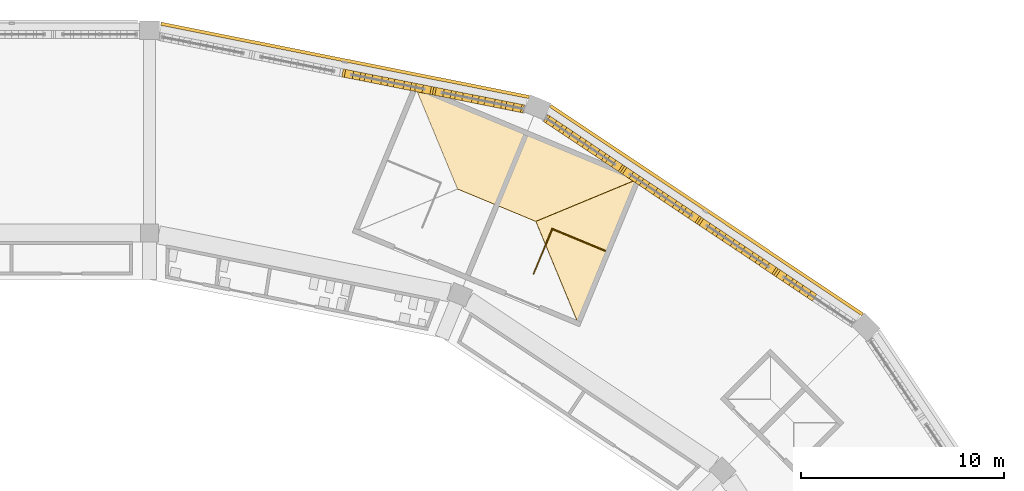
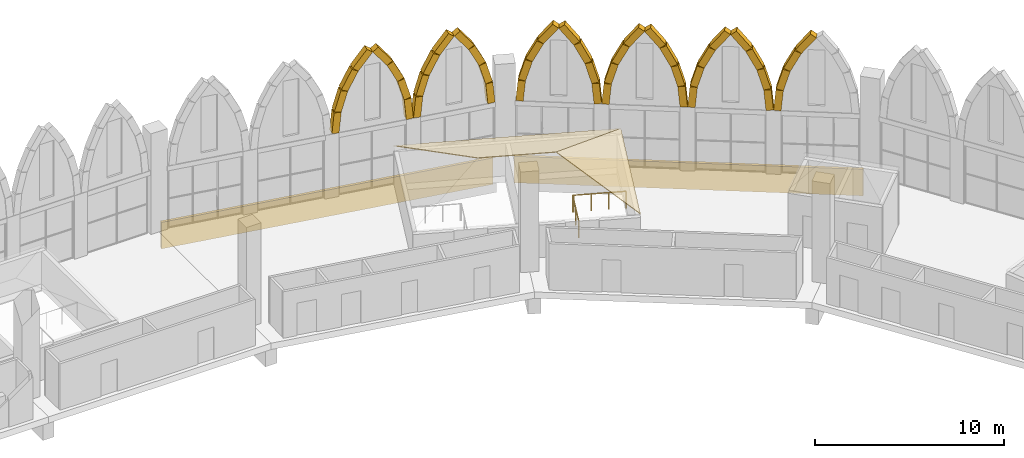
# One storey, part 121 of 130: 48 coverings, 2 railings.
"""IFC4 building model written with IfcOpenShell, lengths in metres."""

from ifc_helpers import new_model, si_unit, direction, frame, origin, origin_2d, place, context, subcontext, project, spatial, polyline, rectangle, circle, outline, extrude, material, layer, layer_set, material_profile, profile_set, type_object, element, save


model = new_model("IFC4")

# Units and contexts
model_context = context("Model", 3, precision=1e-05, world=origin(), true_north=direction((0.0, 1.0)))
body_context = subcontext(model_context, "Body", "Model", "MODEL_VIEW")
ifc_project = project(units=[si_unit("LENGTHUNIT", "METRE"), si_unit("AREAUNIT", "SQUARE_METRE"), si_unit("VOLUMEUNIT", "CUBIC_METRE"), si_unit("PLANEANGLEUNIT", "RADIAN"), si_unit("MASSUNIT", "GRAM", prefix="KILO")], contexts=[model_context])

# Site, building, storey
site_placement = place(None, origin())
site = spatial("IfcSite", under=ifc_project, at=site_placement, CompositionType="ELEMENT")
building_placement = place(site_placement, origin())
building = spatial("IfcBuilding", under=site, at=building_placement, Name="Ogive Plaza Stadium", CompositionType="ELEMENT")
storey_placement = place(building_placement, frame((0.0, 0.0, 22.5)))
storey = spatial("IfcBuildingStorey", under=building, at=storey_placement, Name="L05", CompositionType="ELEMENT", Elevation=22.5)

# Railings
ifc_material_1 = material(Name="Steel ASTM A572 Grade 50", Category="steel")
railing_type = type_object("IfcRailingType", Name="Guard 1100", PredefinedType="GUARDRAIL", material=ifc_material_1)
railing_1_placement = place(storey_placement, frame((52.955078125, 90.48779296875, 0.0)))
element("IfcRailing", 1, at=railing_1_placement, inside=storey, type_object=railing_type, Name="Stair well guard ST38A L05", PredefinedType="GUARDRAIL", context=body_context, shape_type="SweptSolid", body=[
    extrude(circle(Radius=0.02392578125, at=origin_2d()), frame((0.0, 0.0, 1.076171875), z_axis=(0.382693194178, 0.923875488976, 0.0), x_axis=(-0.923875488976, 0.382693194178, 0.0)), (0.0, 0.0, 1.0), 2.39990234375),
    extrude(circle(Radius=0.02099609375, at=origin_2d()), origin(), (0.0, 0.0, 1.0), 1.052001953125),
    extrude(circle(Radius=0.02099609375, at=origin_2d()), frame((0.459228515625, 1.108642578125, 0.0)), (0.0, 0.0, 1.0), 1.052001953125),
    extrude(circle(Radius=0.02099609375, at=origin_2d()), frame((0.91845703125, 2.21728515625, 0.0)), (0.0, 0.0, 1.0), 1.052001953125),
])
railing_2_placement = place(storey_placement, frame((56.506591796875, 91.614501953125, 0.0)))
element("IfcRailing", 2, at=railing_2_placement, inside=storey, type_object=railing_type, Name="Stair guard ST38A L05", PredefinedType="GUARDRAIL", context=body_context, shape_type="SweptSolid", body=[
    extrude(circle(Radius=0.02392578125, at=origin_2d()), frame((0.0, 0.0, 1.076171875), z_axis=(-0.92386697504, 0.382713747376, 0.0), x_axis=(-0.382713747376, -0.92386697504, 0.0)), (0.0, 0.0, 1.0), 2.7998046875),
    extrude(circle(Radius=0.02099609375, at=origin_2d()), origin(), (0.0, 0.0, 1.0), 1.052001953125),
    extrude(circle(Radius=0.02099609375, at=origin_2d()), frame((-0.8623046875, 0.357177734375, 0.0)), (0.0, 0.0, 1.0), 1.052001953125),
    extrude(circle(Radius=0.02099609375, at=origin_2d()), frame((-1.724365234375, 0.71435546875, 0.0)), (0.0, 0.0, 1.0), 1.052001953125),
    extrude(circle(Radius=0.02099609375, at=origin_2d()), frame((-2.586669921875, 1.071533203125, 0.0)), (0.0, 0.0, 1.0), 1.052001953125),
])

# Coverings
ifc_material_2 = material(Name="Cast stone (reconstituted limestone)", Category="masonry")
ifc_material_profile = material_profile(ifc_material_2, rectangle(XDim=0.39990234375, YDim=0.39990234375, at=origin_2d()), Name="Cast stone 400x400")
ifc_profile_set = profile_set([ifc_material_profile], Name="Cast stone (reconstituted limestone)")
covering_type_1 = type_object("IfcCoveringType", Name="Precast arch rib 400x400", PredefinedType="MOLDING", material=ifc_profile_set)
covering_1_placement = place(storey_placement, frame((43.72509765625, 100.361572265625, 4.11865234375), z_axis=(0.091389906065, -0.018166756175, 0.995649463436), x_axis=(0.194968228644, 0.980809558385, 0.0)))
element("IfcCovering", 3, at=covering_1_placement, inside=storey, type_object=covering_type_1, Name="ARCH RIB B37 3.1", PredefinedType="MOLDING", context=body_context, shape_type="SweptSolid", body=[
    extrude(rectangle(XDim=0.39990234375, YDim=0.39990234375, at=origin_2d()), origin(), (0.0, 0.0, 1.0), 1.31689453125),
])
for number, where, z_axis, x_axis, name in (
    (4, (43.85205078125, 100.33642578125, 5.466552734375), (0.270990146, -0.053938531112, 0.961069703837), (0.195213004767, 0.98076086931, 0.0), "ARCH RIB B37 3.2"),
    (5, (44.22216796875, 100.2626953125, 6.76708984375), (0.44096305246, -0.087673612364, 0.893232849855), (0.195006038548, 0.980802041663, 0.0), "ARCH RIB B37 3.3"),
    (6, (44.822265625, 100.143310546875, 7.97509765625), (0.595717472648, -0.118439161488, 0.794413530731), (0.195000979273, 0.98080304755, 0.0), "ARCH RIB B37 3.4"),
    (7, (45.918701171875, 99.92529296875, 9.021484375), (0.595717472648, -0.118439161488, -0.794413530731), (0.195000979273, 0.98080304755, 0.0), "ARCH RIB B37 3.5"),
    (8, (46.72265625, 99.765380859375, 7.943603515625), (0.44096305246, -0.087673612364, -0.893232849855), (0.195006038548, 0.980802041663, 0.0), "ARCH RIB B37 3.6"),
    (9, (47.31689453125, 99.647216796875, 6.732421875), (0.270818389008, -0.0539412397, -0.961117965098), (0.195341523902, 0.980735279798, 0.0), "ARCH RIB B37 3.7"),
):
    element("IfcCovering", number, at=place(storey_placement, frame(where, z_axis=z_axis, x_axis=x_axis)), inside=storey, type_object=covering_type_1, Name=name, PredefinedType="MOLDING", context=body_context, shape_type="SweptSolid", body=[
        extrude(rectangle(XDim=0.39990234375, YDim=0.39990234375, at=origin_2d()), origin(), (0.0, 0.0, 1.0), 1.317138671875),
    ])
for number, where, z_axis, x_axis, name in (
    (10, (47.68017578125, 99.574951171875, 5.429931640625), (0.091389906065, -0.018166756175, -0.995649463436), (0.194968228644, 0.980809558385, 0.0), "ARCH RIB B37 3.8"),
    (11, (48.194580078125, 99.47265625, 4.11865234375), (0.091389906065, -0.018166756175, 0.995649463436), (0.194968228644, 0.980809558385, 0.0), "ARCH RIB B37 4.1"),
):
    element("IfcCovering", number, at=place(storey_placement, frame(where, z_axis=z_axis, x_axis=x_axis)), inside=storey, type_object=covering_type_1, Name=name, PredefinedType="MOLDING", context=body_context, shape_type="SweptSolid", body=[
        extrude(rectangle(XDim=0.39990234375, YDim=0.39990234375, at=origin_2d()), origin(), (0.0, 0.0, 1.0), 1.31689453125),
    ])
for number, where, z_axis, x_axis, name in (
    (12, (48.32177734375, 99.447265625, 5.466552734375), (0.270821092261, -0.053756411195, 0.961127558778), (0.194695735094, 0.980863686113, 0.0), "ARCH RIB B37 4.2"),
    (13, (48.691650390625, 99.373779296875, 6.76708984375), (0.44096305246, -0.087673612364, 0.893232849855), (0.195006038548, 0.980802041663, 0.0), "ARCH RIB B37 4.3"),
    (14, (49.291748046875, 99.25439453125, 7.97509765625), (0.595704385184, -0.118621906197, 0.794396078064), (0.195294514862, 0.980744641823, 0.0), "ARCH RIB B37 4.4"),
    (15, (50.38818359375, 99.036376953125, 9.021484375), (0.595704385184, -0.118621906197, -0.794396078064), (0.195294514862, 0.980744641823, 0.0), "ARCH RIB B37 4.5"),
    (16, (51.192138671875, 98.876220703125, 7.943603515625), (0.44096305246, -0.087673612364, -0.893232849855), (0.195006038548, 0.980802041663, 0.0), "ARCH RIB B37 4.6"),
    (17, (51.786376953125, 98.758056640625, 6.732421875), (0.270821092261, -0.053756411195, -0.961127558778), (0.194695735094, 0.980863686113, 0.0), "ARCH RIB B37 4.7"),
):
    element("IfcCovering", number, at=place(storey_placement, frame(where, z_axis=z_axis, x_axis=x_axis)), inside=storey, type_object=covering_type_1, Name=name, PredefinedType="MOLDING", context=body_context, shape_type="SweptSolid", body=[
        extrude(rectangle(XDim=0.39990234375, YDim=0.39990234375, at=origin_2d()), origin(), (0.0, 0.0, 1.0), 1.317138671875),
    ])
for number, where, z_axis, x_axis, name in (
    (18, (52.14990234375, 98.685791015625, 5.429931640625), (0.091206074607, -0.018167063641, -0.995666314462), (0.195349397809, 0.980733711451, 0.0), "ARCH RIB B37 4.8"),
    (19, (53.722412109375, 98.060302734375, 4.11865234375), (0.0774868935, -0.051719720781, 0.995650968873), (0.555159300588, 0.831744041741, 0.0), "ARCH RIB B38 1.1"),
):
    element("IfcCovering", number, at=place(storey_placement, frame(where, z_axis=z_axis, x_axis=x_axis)), inside=storey, type_object=covering_type_1, Name=name, PredefinedType="MOLDING", context=body_context, shape_type="SweptSolid", body=[
        extrude(rectangle(XDim=0.39990234375, YDim=0.39990234375, at=origin_2d()), origin(), (0.0, 0.0, 1.0), 1.31689453125),
    ])
for number, where, z_axis, x_axis, name in (
    (20, (53.830322265625, 97.98828125, 5.466552734375), (0.229492340681, -0.15330384955, 0.961161378376), (0.555474964851, 0.831533260563, 0.0), "ARCH RIB B38 1.2"),
    (21, (54.14404296875, 97.77880859375, 6.76708984375), (0.37369155562, -0.249869155246, 0.893263693718), (0.55584155334, 0.831288257815, 0.0), "ARCH RIB B38 1.3"),
    (22, (54.65283203125, 97.438720703125, 7.97509765625), (0.504943643404, -0.337370569381, 0.794489154049), (0.555545202762, 0.831486336441, 0.0), "ARCH RIB B38 1.4"),
):
    element("IfcCovering", number, at=place(storey_placement, frame(where, z_axis=z_axis, x_axis=x_axis)), inside=storey, type_object=covering_type_1, Name=name, PredefinedType="MOLDING", context=body_context, shape_type="SweptSolid", body=[
        extrude(rectangle(XDim=0.39990234375, YDim=0.39990234375, at=origin_2d()), origin(), (0.0, 0.0, 1.0), 1.317138671875),
    ])
covering_2_placement = place(storey_placement, frame((55.58203125, 96.81787109375, 9.021484375), z_axis=(0.505050142893, -0.337503233104, -0.794365105482), x_axis=(0.555615206869, 0.831439559977, 0.0)))
element("IfcCovering", 23, at=covering_2_placement, inside=storey, type_object=covering_type_1, Name="ARCH RIB B38 1.5", PredefinedType="MOLDING", context=body_context, shape_type="SweptSolid", body=[
    extrude(rectangle(XDim=0.39990234375, YDim=0.39990234375, at=origin_2d()), origin(), (0.0, 0.0, 1.0), 1.3173828125),
])
for number, where, z_axis, x_axis, name in (
    (24, (56.263671875, 96.3623046875, 7.943603515625), (0.373868324694, -0.249678053229, -0.893243161478), (0.555366039124, 0.83160601404, 0.0), "ARCH RIB B38 1.6"),
    (25, (56.767333984375, 96.02587890625, 6.732421875), (0.229661409993, -0.15347832726, -0.961093148358), (0.555628995846, 0.831430345233, 0.0), "ARCH RIB B38 1.7"),
):
    element("IfcCovering", number, at=place(storey_placement, frame(where, z_axis=z_axis, x_axis=x_axis)), inside=storey, type_object=covering_type_1, Name=name, PredefinedType="MOLDING", context=body_context, shape_type="SweptSolid", body=[
        extrude(rectangle(XDim=0.39990234375, YDim=0.39990234375, at=origin_2d()), origin(), (0.0, 0.0, 1.0), 1.317138671875),
    ])
for number, where, z_axis, x_axis, name in (
    (26, (57.07568359375, 95.81982421875, 5.429931640625), (0.077302627224, -0.051720462819, -0.995665253763), (0.556079282794, 0.831129250627, 0.0), "ARCH RIB B38 1.8"),
    (27, (57.511474609375, 95.528564453125, 4.11865234375), (0.0774868935, -0.051719720781, 0.995650968873), (0.555159300588, 0.831744041741, 0.0), "ARCH RIB B38 2.1"),
):
    element("IfcCovering", number, at=place(storey_placement, frame(where, z_axis=z_axis, x_axis=x_axis)), inside=storey, type_object=covering_type_1, Name=name, PredefinedType="MOLDING", context=body_context, shape_type="SweptSolid", body=[
        extrude(rectangle(XDim=0.39990234375, YDim=0.39990234375, at=origin_2d()), origin(), (0.0, 0.0, 1.0), 1.31689453125),
    ])
for number, where, z_axis, x_axis, name in (
    (28, (57.619384765625, 95.45654296875, 5.466552734375), (0.229485815196, -0.153484858629, 0.961134048297), (0.555939132817, 0.831223002932, 0.0), "ARCH RIB B38 2.2"),
    (29, (57.93310546875, 95.2470703125, 6.76708984375), (0.37369155562, -0.249869155246, 0.893263693718), (0.55584155334, 0.831288257815, 0.0), "ARCH RIB B38 2.3"),
    (30, (58.44189453125, 94.906982421875, 7.97509765625), (0.504912059598, -0.337534823983, 0.794439459412), (0.555756185913, 0.83134533247, 0.0), "ARCH RIB B38 2.4"),
    (31, (59.37109375, 94.285888671875, 9.021484375), (0.505081729422, -0.337338989926, -0.794414786166), (0.555404229448, 0.831580508376, 0.0), "ARCH RIB B38 2.5"),
    (32, (60.052734375, 93.83056640625, 7.943603515625), (0.373851016855, -0.249851844681, -0.89320180973), (0.555651073864, 0.831415590492, 0.0), "ARCH RIB B38 2.6"),
    (33, (60.556396484375, 93.493896484375, 6.732421875), (0.229667939915, -0.153297325513, -0.961120474949), (0.555164855646, 0.831740333912, 0.0), "ARCH RIB B38 2.7"),
):
    element("IfcCovering", number, at=place(storey_placement, frame(where, z_axis=z_axis, x_axis=x_axis)), inside=storey, type_object=covering_type_1, Name=name, PredefinedType="MOLDING", context=body_context, shape_type="SweptSolid", body=[
        extrude(rectangle(XDim=0.39990234375, YDim=0.39990234375, at=origin_2d()), origin(), (0.0, 0.0, 1.0), 1.317138671875),
    ])
for number, where, z_axis, x_axis, name in (
    (34, (60.86474609375, 93.2880859375, 5.429931640625), (0.077302627224, -0.051720462819, -0.995665253763), (0.556079282794, 0.831129250627, 0.0), "ARCH RIB B38 2.8"),
    (35, (61.300537109375, 92.996826171875, 4.11865234375), (0.0774868935, -0.051719720781, 0.995650968873), (0.555159300588, 0.831744041741, 0.0), "ARCH RIB B38 3.1"),
):
    element("IfcCovering", number, at=place(storey_placement, frame(where, z_axis=z_axis, x_axis=x_axis)), inside=storey, type_object=covering_type_1, Name=name, PredefinedType="MOLDING", context=body_context, shape_type="SweptSolid", body=[
        extrude(rectangle(XDim=0.39990234375, YDim=0.39990234375, at=origin_2d()), origin(), (0.0, 0.0, 1.0), 1.31689453125),
    ])
for number, where, z_axis, x_axis, name in (
    (36, (61.408447265625, 92.9248046875, 5.466552734375), (0.229485815196, -0.153484858629, 0.961134048297), (0.555939132817, 0.831223002932, 0.0), "ARCH RIB B38 3.2"),
    (37, (61.72216796875, 92.715087890625, 6.76708984375), (0.373708858474, -0.249695353355, 0.893305054061), (0.555556508152, 0.831478782802, 0.0), "ARCH RIB B38 3.3"),
    (38, (62.23095703125, 92.375244140625, 7.97509765625), (0.504912059598, -0.337534823983, 0.794439459412), (0.555756185913, 0.83134533247, 0.0), "ARCH RIB B38 3.4"),
    (39, (63.160400390625, 91.754150390625, 9.021484375), (0.504943643404, -0.337370569381, -0.794489154049), (0.555545202762, 0.831486336441, 0.0), "ARCH RIB B38 3.5"),
    (40, (63.842041015625, 91.298828125, 7.943603515625), (0.37369155562, -0.249869155246, -0.893263693718), (0.55584155334, 0.831288257815, 0.0), "ARCH RIB B38 3.6"),
    (41, (64.345458984375, 90.962158203125, 6.732421875), (0.229667939915, -0.153297325513, -0.961120474949), (0.555164855646, 0.831740333912, 0.0), "ARCH RIB B38 3.7"),
):
    element("IfcCovering", number, at=place(storey_placement, frame(where, z_axis=z_axis, x_axis=x_axis)), inside=storey, type_object=covering_type_1, Name=name, PredefinedType="MOLDING", context=body_context, shape_type="SweptSolid", body=[
        extrude(rectangle(XDim=0.39990234375, YDim=0.39990234375, at=origin_2d()), origin(), (0.0, 0.0, 1.0), 1.317138671875),
    ])
for number, where, z_axis, x_axis, name in (
    (42, (64.65380859375, 90.75634765625, 5.429931640625), (0.077302627224, -0.051720462819, -0.995665253763), (0.556079282794, 0.831129250627, 0.0), "ARCH RIB B38 3.8"),
    (43, (65.08984375, 90.465087890625, 4.11865234375), (0.077301884741, -0.051905342272, 0.995655690517), (0.557453791533, 0.830207968105, 0.0), "ARCH RIB B38 4.1"),
):
    element("IfcCovering", number, at=place(storey_placement, frame(where, z_axis=z_axis, x_axis=x_axis)), inside=storey, type_object=covering_type_1, Name=name, PredefinedType="MOLDING", context=body_context, shape_type="SweptSolid", body=[
        extrude(rectangle(XDim=0.39990234375, YDim=0.39990234375, at=origin_2d()), origin(), (0.0, 0.0, 1.0), 1.31689453125),
    ])
for number, where, z_axis, x_axis, name in (
    (44, (65.197509765625, 90.39306640625, 5.466552734375), (0.229485815196, -0.153484858629, 0.961134048297), (0.555939132817, 0.831223002932, 0.0), "ARCH RIB B38 4.2"),
    (45, (65.51123046875, 90.183349609375, 6.76708984375), (0.373708858474, -0.249695353355, 0.893305054061), (0.555556508152, 0.831478782802, 0.0), "ARCH RIB B38 4.3"),
    (46, (66.02001953125, 89.843505859375, 7.97509765625), (0.504912059598, -0.337534823983, 0.794439459412), (0.555756185913, 0.83134533247, 0.0), "ARCH RIB B38 4.4"),
):
    element("IfcCovering", number, at=place(storey_placement, frame(where, z_axis=z_axis, x_axis=x_axis)), inside=storey, type_object=covering_type_1, Name=name, PredefinedType="MOLDING", context=body_context, shape_type="SweptSolid", body=[
        extrude(rectangle(XDim=0.39990234375, YDim=0.39990234375, at=origin_2d()), origin(), (0.0, 0.0, 1.0), 1.317138671875),
    ])
ifc_material_3 = material(Name="Cast stone (reconstituted limestone)", Category="masonry")
ifc_layer_1 = layer(ifc_material_3, 0.159912109375)
ifc_layer_set_1 = layer_set([ifc_layer_1], Name="Precast spandrel cladding 160")
covering_type_2 = type_object("IfcCoveringType", Name="Precast spandrel cladding 160", PredefinedType="CLADDING", material=ifc_layer_set_1)
covering_3_placement = place(storey_placement, frame((0.0, 0.0, -1.7099609375)))
element("IfcCovering", 47, at=covering_3_placement, inside=storey, type_object=covering_type_2, Name="SPANDREL CLADDING B37 L05", PredefinedType="CLADDING", context=body_context, shape_type="SweptSolid", body=[
    extrude(outline(polyline([(34.550048828125, 102.74755859375), (52.720703125, 99.133056640625), (52.751953125, 99.2900390625), (34.581298828125, 102.904296875), (34.550048828125, 102.74755859375)])), origin(), (0.0, 0.0, 1.0), 1.7099609375),
])
covering_4_placement = place(storey_placement, frame((0.0, 0.0, -1.7099609375)))
element("IfcCovering", 48, at=covering_4_placement, inside=storey, type_object=covering_type_2, Name="SPANDREL CLADDING B38 L05", PredefinedType="CLADDING", context=body_context, shape_type="SweptSolid", body=[
    extrude(outline(polyline([(53.737060546875, 98.712158203125), (69.141357421875, 88.419189453125), (69.230224609375, 88.55224609375), (53.825927734375, 98.84521484375), (53.737060546875, 98.712158203125)])), origin(), (0.0, 0.0, 1.0), 1.7099609375),
])
ifc_material_4 = material(Name="Zinc standing seam", Category="metal")
ifc_layer_2 = layer(ifc_material_4, 0.0400390625)
ifc_layer_set_2 = layer_set([ifc_layer_2], Name="Turret roof zinc standing seam 40")
covering_type_3 = type_object("IfcCoveringType", Name="Turret roof zinc standing seam 40", PredefinedType="ROOFING", material=ifc_layer_set_2)
covering_5_placement = place(storey_placement, frame((58.272216796875, 95.2236328125, 2.337158203125), z_axis=(0.142726326629, 0.344578310198, 0.927844267013), x_axis=(-0.923884235772, 0.382672077485, 2.269112e-06)))
element("IfcCovering", 49, at=covering_5_placement, inside=storey, type_object=covering_type_3, Name="Stair core roof facet R38 1", PredefinedType="ROOFING", context=body_context, shape_type="SweptSolid", body=[
    extrude(outline(polyline([(0.0, 0.0), (12.149891707996376, -4.440892098500626e-16), (8.170149413845985, 4.289471551499193), (3.9800862675267408, 4.2895709627228715), (0.0, 0.0)])), origin(), (0.0, 0.0, -1.0), 0.0400390625),
])
covering_6_placement = place(storey_placement, frame((55.22607421875, 87.869384765625, 2.337158203125), z_axis=(0.344573873955, -0.142723109429, 0.927846409392), x_axis=(0.382674135226, 0.923883383458, 0.0)))
element("IfcCovering", 50, at=covering_6_placement, inside=storey, type_object=covering_type_3, Name="Stair core roof facet R38 4", PredefinedType="ROOFING", context=body_context, shape_type="SweptSolid", body=[
    extrude(outline(polyline([(0.0, 0.0), (7.960147545192286, 0.0), (3.9800737725961426, 4.289582556236138), (0.0, 0.0)])), origin(), (0.0, 0.0, -1.0), 0.0400390625),
])

save(model, "model.ifc")
